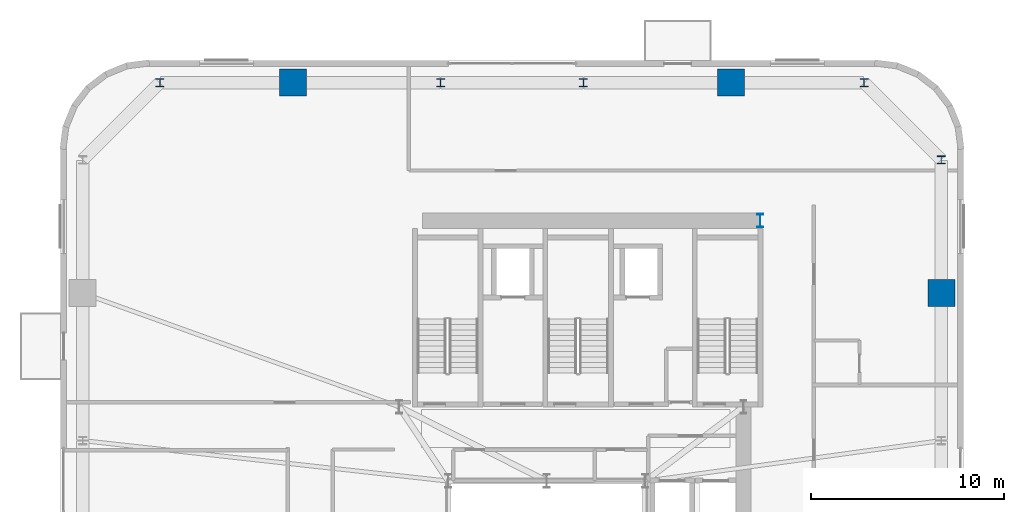
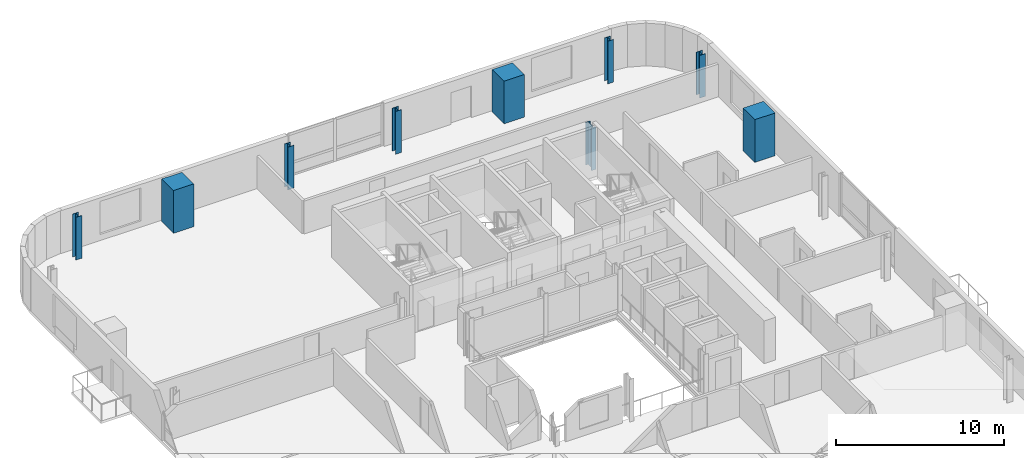
# One storey, part 2 of 13: 9 columns.
"""IFC4 building model written with IfcOpenShell, lengths in metres."""

from ifc_helpers import new_model, si_unit, direction, frame, origin, origin_2d, place, context, subcontext, project, spatial, rectangle, i_section, extrude, source, transform, mapped, material, material_profile, profile_set, type_object, element, save


model = new_model("IFC4")

# Units and contexts
model_context = context("Model", 3, precision=1e-05, world=origin(), true_north=direction((0.0, 1.0)))
body_context = subcontext(model_context, "Body", "Model", "MODEL_VIEW")
ifc_project = project(units=[si_unit("LENGTHUNIT", "METRE"), si_unit("AREAUNIT", "SQUARE_METRE"), si_unit("VOLUMEUNIT", "CUBIC_METRE"), si_unit("PLANEANGLEUNIT", "RADIAN"), si_unit("MASSUNIT", "GRAM", prefix="KILO")], contexts=[model_context])

# Site, building, storey
site_placement = place(None, origin())
site = spatial("IfcSite", under=ifc_project, at=site_placement, CompositionType="ELEMENT")
building_placement = place(site_placement, origin())
building = spatial("IfcBuilding", under=site, at=building_placement, Name="Vardaveli Station Tower", CompositionType="ELEMENT")
storey_placement = place(building_placement, frame((0.0, 0.0, 233.550048828125)))
storey = spatial("IfcBuildingStorey", under=building, at=storey_placement, Name="L60", CompositionType="ELEMENT", Elevation=233.550048828125)

# Columns
ifc_material_1 = material(Name="Structural steel S460M", Category="steel")
ifc_material_profile_1 = material_profile(ifc_material_1, i_section(OverallWidth=0.300048828125, OverallDepth=0.699951171875, WebThickness=0.01708984375, FlangeThickness=0.031982421875, FilletRadius=0.027099609375, at=origin_2d()), Name="HEB 700")
ifc_profile_set_1 = profile_set([ifc_material_profile_1], Name="Structural steel S460M")
column_type_1 = type_object("IfcColumnType", Name="COL-HEB700", PredefinedType="COLUMN", material=ifc_profile_set_1)
shared_shape_1 = source(origin(), body_context, "Body", "SweptSolid", [
    extrude(i_section(OverallWidth=0.300048828125, OverallDepth=0.699951171875, WebThickness=0.01708984375, FlangeThickness=0.031982421875, FilletRadius=0.027099609375, at=origin_2d()), origin(), (0.0, 0.0, 1.0), 3.099853515625),
])
column_placement = place(storey_placement, frame((47.3701171875, 40.300048828125, 0.0), z_axis=(0.0, 0.0, 1.0), x_axis=(1.0, 0.0, 0.0)))
element("IfcColumn", 1, at=column_placement, inside=storey, type_object=column_type_1, Name="COL-L60-CC3", PredefinedType="COLUMN", context=body_context, shape_type="MappedRepresentation", body=[
    mapped(shared_shape_1, transform((0.0, 0.0, 0.0), scale=1.0)),
])
ifc_material_2 = material(Name="Concrete C50/60", Category="concrete")
ifc_material_profile_2 = material_profile(ifc_material_2, rectangle(XDim=1.39990234375, YDim=1.39990234375, at=origin_2d()), Name="MC 1400x1400")
ifc_profile_set_2 = profile_set([ifc_material_profile_2], Name="Concrete C50/60")
column_type_2 = type_object("IfcColumnType", Name="COL-MC-1400", PredefinedType="COLUMN", material=ifc_profile_set_2)
shared_shape_2 = source(origin(), body_context, "Body", "SweptSolid", [
    extrude(rectangle(XDim=1.39990234375, YDim=1.39990234375, at=origin_2d()), origin(), (0.0, 0.0, 1.0), 3.099853515625),
])
for number, where, z_axis, x_axis, name in (
    (2, (56.75, 36.5400390625, 0.0), (0.0, 0.0, 1.0), (1.0, 0.0, 0.0), "COL-L60-MC4"),
    (3, (45.840087890625, 47.449951171875, 0.0), (0.0, 0.0, 1.0), (1.0, 0.0, 0.0), "COL-L60-MC5"),
    (4, (23.159912109375, 47.449951171875, 0.0), (0.0, 0.0, 1.0), (1.0, 0.0, 0.0), "COL-L60-MC6"),
):
    element("IfcColumn", number, at=place(storey_placement, frame(where, z_axis=z_axis, x_axis=x_axis)), inside=storey, type_object=column_type_2, Name=name, PredefinedType="COLUMN", context=body_context, shape_type="MappedRepresentation", body=[
        mapped(shared_shape_2, transform((0.0, 0.0, 0.0), scale=1.0)),
    ])
ifc_material_profile_3 = material_profile(ifc_material_1, i_section(OverallWidth=0.408935546875, OverallDepth=0.4169921875, WebThickness=0.021240234375, FlangeThickness=0.033203125, FilletRadius=0.014892578125, at=origin_2d()), Name="HD 400x347")
ifc_profile_set_3 = profile_set([ifc_material_profile_3], Name="Structural steel S460M")
column_type_3 = type_object("IfcColumnType", Name="COL-HD347", PredefinedType="COLUMN", material=ifc_profile_set_3)
shared_shape_3 = source(origin(), body_context, "Body", "SweptSolid", [
    extrude(i_section(OverallWidth=0.408935546875, OverallDepth=0.4169921875, WebThickness=0.021240234375, FlangeThickness=0.033203125, FilletRadius=0.014892578125, at=origin_2d()), origin(), (0.0, 0.0, 1.0), 3.099853515625),
])
for number, where, z_axis, x_axis, name in (
    (5, (56.75, 43.449951171875, 0.0), (0.0, 0.0, 1.0), (1.0, 0.0, 0.0), "COL-L60-PC08"),
    (6, (52.75, 47.449951171875, 0.0), (0.0, 0.0, 1.0), (1.0, 0.0, 0.0), "COL-L60-PC09"),
    (7, (38.199951171875, 47.449951171875, 0.0), (0.0, 0.0, 1.0), (1.0, 0.0, 0.0), "COL-L60-PC10"),
    (8, (30.800048828125, 47.449951171875, 0.0), (0.0, 0.0, 1.0), (1.0, 0.0, 0.0), "COL-L60-PC11"),
    (9, (16.25, 47.449951171875, 0.0), (0.0, 0.0, 1.0), (1.0, 0.0, 0.0), "COL-L60-PC12"),
):
    element("IfcColumn", number, at=place(storey_placement, frame(where, z_axis=z_axis, x_axis=x_axis)), inside=storey, type_object=column_type_3, Name=name, PredefinedType="COLUMN", context=body_context, shape_type="MappedRepresentation", body=[
        mapped(shared_shape_3, transform((0.0, 0.0, 0.0), scale=1.0)),
    ])

save(model, "model.ifc")
